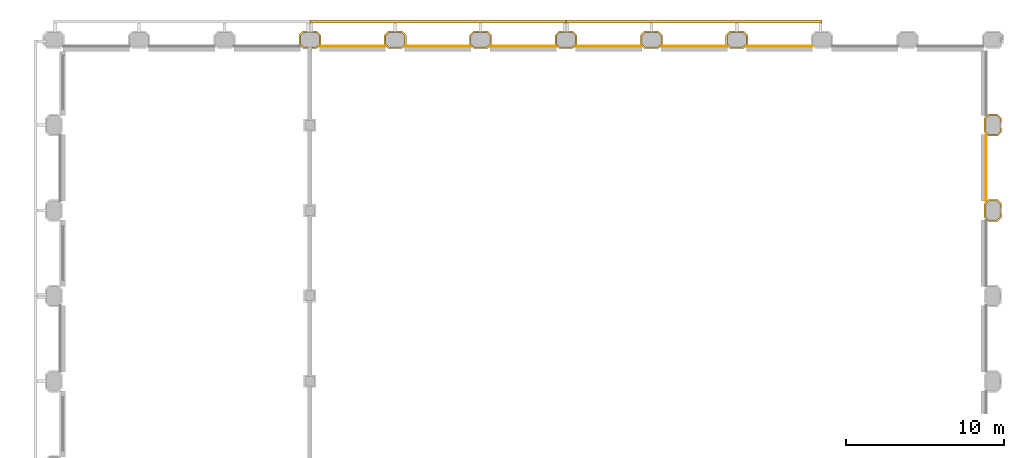
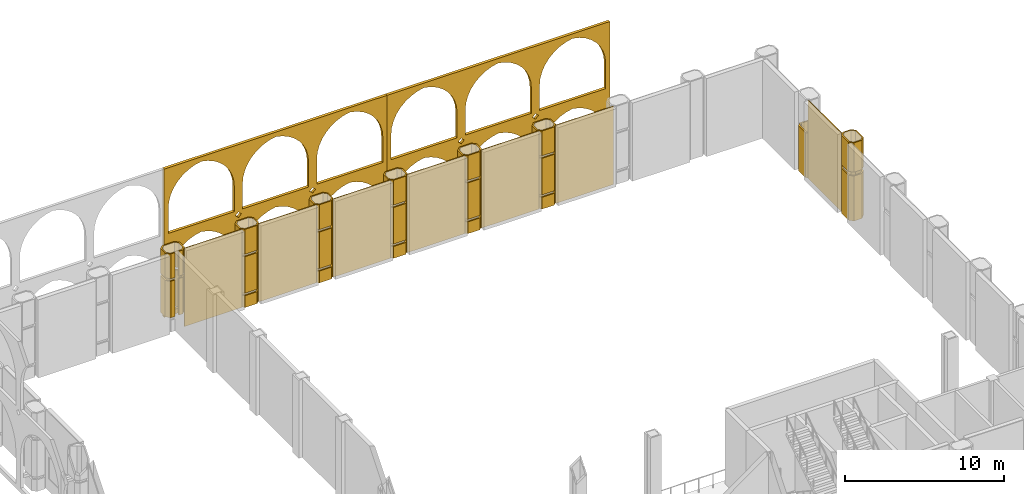
# One storey, part 33 of 34: 29 coverings.
"""IFC4 building model written with IfcOpenShell, lengths in metres."""

from ifc_helpers import new_model, si_unit, direction, frame, frame_2d, origin, place, context, subcontext, project, spatial, polyline, rectangle, outline, extrude, material, layer, layer_set, type_object, element, save


model = new_model("IFC4")

# Units and contexts
model_context = context("Model", 3, precision=1e-05, world=origin(), true_north=direction((0.0, 1.0)))
body_context = subcontext(model_context, "Body", "Model", "MODEL_VIEW")
ifc_project = project(units=[si_unit("LENGTHUNIT", "METRE"), si_unit("AREAUNIT", "SQUARE_METRE"), si_unit("VOLUMEUNIT", "CUBIC_METRE"), si_unit("PLANEANGLEUNIT", "RADIAN"), si_unit("MASSUNIT", "GRAM", prefix="KILO")], contexts=[model_context])

# Site, building, storey
site_placement = place(None, origin())
site = spatial("IfcSite", under=ifc_project, at=site_placement, CompositionType="ELEMENT")
building_placement = place(site_placement, origin())
building = spatial("IfcBuilding", under=site, at=building_placement, Name="Tabaq Tower and Sports Hall", CompositionType="ELEMENT")
storey_placement = place(building_placement, frame((0.0, 0.0, 8.39990234375)))
storey = spatial("IfcBuildingStorey", under=building, at=storey_placement, Name="L01", CompositionType="ELEMENT", Elevation=8.39990234375)

# Coverings
ifc_material_1 = material(Name="Precast concrete C60/75", Category="concrete")
ifc_layer_1 = layer(ifc_material_1, 0.10009765625)
ifc_layer_set_1 = layer_set([ifc_layer_1], Name="Column cladding 100")
covering_type_1 = type_object("IfcCoveringType", Name="Column cladding 100", PredefinedType="CLADDING", material=ifc_layer_set_1)
covering_1_placement = place(storey_placement, frame((0.0, 0.0, 1.10009765625)))
element("IfcCovering", 1, at=covering_1_placement, inside=storey, type_object=covering_type_1, Name="Column cladding L01 HC-16I 2", PredefinedType="CLADDING", context=body_context, shape_type="SweptSolid", body=[
    extrude(outline(polyline([(80.30029296875, 43.4912109375), (80.55859375, 43.749755859375), (81.44140625, 43.749755859375), (81.69970703125, 43.4912109375), (81.69970703125, 42.90869140625), (81.44140625, 42.650390625), (81.150390625, 42.650390625), (81.150390625, 42.749755859375), (81.400146484375, 42.749755859375), (81.600341796875, 42.949951171875), (81.600341796875, 43.4501953125), (81.400146484375, 43.650390625), (80.599853515625, 43.650390625), (80.399658203125, 43.4501953125), (80.399658203125, 42.949951171875), (80.599853515625, 42.749755859375), (80.849609375, 42.749755859375), (80.849609375, 42.650390625), (80.55859375, 42.650390625), (80.30029296875, 42.90869140625), (80.30029296875, 43.4912109375)])), origin(), (0.0, 0.0, 1.0), 2.800048828125),
])
covering_2_placement = place(storey_placement, frame((0.0, 0.0, 4.10009765625)))
element("IfcCovering", 2, at=covering_2_placement, inside=storey, type_object=covering_type_1, Name="Column cladding L01 HC-16I 3", PredefinedType="CLADDING", context=body_context, shape_type="SweptSolid", body=[
    extrude(outline(polyline([(80.30029296875, 43.4912109375), (80.55859375, 43.749755859375), (81.44140625, 43.749755859375), (81.69970703125, 43.4912109375), (81.69970703125, 42.90869140625), (81.44140625, 42.650390625), (81.150390625, 42.650390625), (81.150390625, 42.749755859375), (81.400146484375, 42.749755859375), (81.600341796875, 42.949951171875), (81.600341796875, 43.4501953125), (81.400146484375, 43.650390625), (80.599853515625, 43.650390625), (80.399658203125, 43.4501953125), (80.399658203125, 42.949951171875), (80.599853515625, 42.749755859375), (80.849609375, 42.749755859375), (80.849609375, 42.650390625), (80.55859375, 42.650390625), (80.30029296875, 42.90869140625), (80.30029296875, 43.4912109375)])), origin(), (0.0, 0.0, 1.0), 1.89990234375),
])
covering_3_placement = place(storey_placement, origin())
element("IfcCovering", 3, at=covering_3_placement, inside=storey, type_object=covering_type_1, Name="Column cladding L01 HC-17I", PredefinedType="CLADDING", context=body_context, shape_type="SweptSolid", body=[
    extrude(outline(polyline([(85.7001953125, 42.90869140625), (85.7001953125, 43.4912109375), (85.958740234375, 43.749755859375), (86.84130859375, 43.749755859375), (87.099609375, 43.4912109375), (87.099609375, 42.90869140625), (86.84130859375, 42.650390625), (85.958740234375, 42.650390625), (85.7001953125, 42.90869140625)]), holes=[polyline([(86.800048828125, 42.749755859375), (87.000244140625, 42.949951171875), (87.000244140625, 43.4501953125), (86.800048828125, 43.650390625), (85.999755859375, 43.650390625), (85.7998046875, 43.4501953125), (85.7998046875, 42.949951171875), (85.999755859375, 42.749755859375), (86.800048828125, 42.749755859375)])]), origin(), (0.0, 0.0, 1.0), 0.900146484375),
])
covering_4_placement = place(storey_placement, frame((0.0, 0.0, 1.10009765625)))
element("IfcCovering", 4, at=covering_4_placement, inside=storey, type_object=covering_type_1, Name="Column cladding L01 HC-17I 2", PredefinedType="CLADDING", context=body_context, shape_type="SweptSolid", body=[
    extrude(outline(polyline([(85.7001953125, 42.90869140625), (85.7001953125, 43.4912109375), (85.958740234375, 43.749755859375), (86.84130859375, 43.749755859375), (87.099609375, 43.4912109375), (87.099609375, 42.90869140625), (86.84130859375, 42.650390625), (85.958740234375, 42.650390625), (85.7001953125, 42.90869140625)]), holes=[polyline([(86.800048828125, 42.749755859375), (87.000244140625, 42.949951171875), (87.000244140625, 43.4501953125), (86.800048828125, 43.650390625), (85.999755859375, 43.650390625), (85.7998046875, 43.4501953125), (85.7998046875, 42.949951171875), (85.999755859375, 42.749755859375), (86.800048828125, 42.749755859375)])]), origin(), (0.0, 0.0, 1.0), 2.800048828125),
])
covering_5_placement = place(storey_placement, frame((0.0, 0.0, 4.10009765625)))
element("IfcCovering", 5, at=covering_5_placement, inside=storey, type_object=covering_type_1, Name="Column cladding L01 HC-17I 3", PredefinedType="CLADDING", context=body_context, shape_type="SweptSolid", body=[
    extrude(outline(polyline([(85.7001953125, 42.90869140625), (85.7001953125, 43.4912109375), (85.958740234375, 43.749755859375), (86.84130859375, 43.749755859375), (87.099609375, 43.4912109375), (87.099609375, 42.90869140625), (86.84130859375, 42.650390625), (85.958740234375, 42.650390625), (85.7001953125, 42.90869140625)]), holes=[polyline([(86.800048828125, 42.749755859375), (87.000244140625, 42.949951171875), (87.000244140625, 43.4501953125), (86.800048828125, 43.650390625), (85.999755859375, 43.650390625), (85.7998046875, 43.4501953125), (85.7998046875, 42.949951171875), (85.999755859375, 42.749755859375), (86.800048828125, 42.749755859375)])]), origin(), (0.0, 0.0, 1.0), 1.89990234375),
])
covering_6_placement = place(storey_placement, origin())
element("IfcCovering", 6, at=covering_6_placement, inside=storey, type_object=covering_type_1, Name="Column cladding L01 HC-18I", PredefinedType="CLADDING", context=body_context, shape_type="SweptSolid", body=[
    extrude(outline(polyline([(91.100341796875, 42.90869140625), (91.100341796875, 43.4912109375), (91.358642578125, 43.749755859375), (92.2412109375, 43.749755859375), (92.499755859375, 43.4912109375), (92.499755859375, 42.90869140625), (92.2412109375, 42.650390625), (91.358642578125, 42.650390625), (91.100341796875, 42.90869140625)]), holes=[polyline([(92.2001953125, 42.749755859375), (92.400390625, 42.949951171875), (92.400390625, 43.4501953125), (92.2001953125, 43.650390625), (91.39990234375, 43.650390625), (91.19970703125, 43.4501953125), (91.19970703125, 42.949951171875), (91.39990234375, 42.749755859375), (92.2001953125, 42.749755859375)])]), origin(), (0.0, 0.0, 1.0), 0.900146484375),
])
covering_7_placement = place(storey_placement, frame((0.0, 0.0, 1.10009765625)))
element("IfcCovering", 7, at=covering_7_placement, inside=storey, type_object=covering_type_1, Name="Column cladding L01 HC-18I 2", PredefinedType="CLADDING", context=body_context, shape_type="SweptSolid", body=[
    extrude(outline(polyline([(91.100341796875, 42.90869140625), (91.100341796875, 43.4912109375), (91.358642578125, 43.749755859375), (92.2412109375, 43.749755859375), (92.499755859375, 43.4912109375), (92.499755859375, 42.90869140625), (92.2412109375, 42.650390625), (91.358642578125, 42.650390625), (91.100341796875, 42.90869140625)]), holes=[polyline([(92.2001953125, 42.749755859375), (92.400390625, 42.949951171875), (92.400390625, 43.4501953125), (92.2001953125, 43.650390625), (91.39990234375, 43.650390625), (91.19970703125, 43.4501953125), (91.19970703125, 42.949951171875), (91.39990234375, 42.749755859375), (92.2001953125, 42.749755859375)])]), origin(), (0.0, 0.0, 1.0), 2.800048828125),
])
covering_8_placement = place(storey_placement, frame((0.0, 0.0, 4.10009765625)))
element("IfcCovering", 8, at=covering_8_placement, inside=storey, type_object=covering_type_1, Name="Column cladding L01 HC-18I 3", PredefinedType="CLADDING", context=body_context, shape_type="SweptSolid", body=[
    extrude(outline(polyline([(91.100341796875, 42.90869140625), (91.100341796875, 43.4912109375), (91.358642578125, 43.749755859375), (92.2412109375, 43.749755859375), (92.499755859375, 43.4912109375), (92.499755859375, 42.90869140625), (92.2412109375, 42.650390625), (91.358642578125, 42.650390625), (91.100341796875, 42.90869140625)]), holes=[polyline([(92.2001953125, 42.749755859375), (92.400390625, 42.949951171875), (92.400390625, 43.4501953125), (92.2001953125, 43.650390625), (91.39990234375, 43.650390625), (91.19970703125, 43.4501953125), (91.19970703125, 42.949951171875), (91.39990234375, 42.749755859375), (92.2001953125, 42.749755859375)])]), origin(), (0.0, 0.0, 1.0), 1.89990234375),
])
covering_9_placement = place(storey_placement, origin())
element("IfcCovering", 9, at=covering_9_placement, inside=storey, type_object=covering_type_1, Name="Column cladding L01 HC-19I", PredefinedType="CLADDING", context=body_context, shape_type="SweptSolid", body=[
    extrude(outline(polyline([(96.500244140625, 42.90869140625), (96.500244140625, 43.4912109375), (96.7587890625, 43.749755859375), (97.641357421875, 43.749755859375), (97.899658203125, 43.4912109375), (97.899658203125, 42.90869140625), (97.641357421875, 42.650390625), (96.7587890625, 42.650390625), (96.500244140625, 42.90869140625)]), holes=[polyline([(97.60009765625, 42.749755859375), (97.80029296875, 42.949951171875), (97.80029296875, 43.4501953125), (97.60009765625, 43.650390625), (96.7998046875, 43.650390625), (96.599609375, 43.4501953125), (96.599609375, 42.949951171875), (96.7998046875, 42.749755859375), (97.60009765625, 42.749755859375)])]), origin(), (0.0, 0.0, 1.0), 0.900146484375),
])
covering_10_placement = place(storey_placement, frame((0.0, 0.0, 1.10009765625)))
element("IfcCovering", 10, at=covering_10_placement, inside=storey, type_object=covering_type_1, Name="Column cladding L01 HC-19I 2", PredefinedType="CLADDING", context=body_context, shape_type="SweptSolid", body=[
    extrude(outline(polyline([(96.500244140625, 42.90869140625), (96.500244140625, 43.4912109375), (96.7587890625, 43.749755859375), (97.641357421875, 43.749755859375), (97.899658203125, 43.4912109375), (97.899658203125, 42.90869140625), (97.641357421875, 42.650390625), (96.7587890625, 42.650390625), (96.500244140625, 42.90869140625)]), holes=[polyline([(97.60009765625, 42.749755859375), (97.80029296875, 42.949951171875), (97.80029296875, 43.4501953125), (97.60009765625, 43.650390625), (96.7998046875, 43.650390625), (96.599609375, 43.4501953125), (96.599609375, 42.949951171875), (96.7998046875, 42.749755859375), (97.60009765625, 42.749755859375)])]), origin(), (0.0, 0.0, 1.0), 2.800048828125),
])
covering_11_placement = place(storey_placement, frame((0.0, 0.0, 4.10009765625)))
element("IfcCovering", 11, at=covering_11_placement, inside=storey, type_object=covering_type_1, Name="Column cladding L01 HC-19I 3", PredefinedType="CLADDING", context=body_context, shape_type="SweptSolid", body=[
    extrude(outline(polyline([(96.500244140625, 42.90869140625), (96.500244140625, 43.4912109375), (96.7587890625, 43.749755859375), (97.641357421875, 43.749755859375), (97.899658203125, 43.4912109375), (97.899658203125, 42.90869140625), (97.641357421875, 42.650390625), (96.7587890625, 42.650390625), (96.500244140625, 42.90869140625)]), holes=[polyline([(97.60009765625, 42.749755859375), (97.80029296875, 42.949951171875), (97.80029296875, 43.4501953125), (97.60009765625, 43.650390625), (96.7998046875, 43.650390625), (96.599609375, 43.4501953125), (96.599609375, 42.949951171875), (96.7998046875, 42.749755859375), (97.60009765625, 42.749755859375)])]), origin(), (0.0, 0.0, 1.0), 1.89990234375),
])
covering_12_placement = place(storey_placement, origin())
element("IfcCovering", 12, at=covering_12_placement, inside=storey, type_object=covering_type_1, Name="Column cladding L01 HC-20I", PredefinedType="CLADDING", context=body_context, shape_type="SweptSolid", body=[
    extrude(outline(polyline([(101.900390625, 42.90869140625), (101.900390625, 43.4912109375), (102.15869140625, 43.749755859375), (103.041259765625, 43.749755859375), (103.2998046875, 43.4912109375), (103.2998046875, 42.90869140625), (103.041259765625, 42.650390625), (102.15869140625, 42.650390625), (101.900390625, 42.90869140625)]), holes=[polyline([(103.000244140625, 42.749755859375), (103.2001953125, 42.949951171875), (103.2001953125, 43.4501953125), (103.000244140625, 43.650390625), (102.199951171875, 43.650390625), (101.999755859375, 43.4501953125), (101.999755859375, 42.949951171875), (102.199951171875, 42.749755859375), (103.000244140625, 42.749755859375)])]), origin(), (0.0, 0.0, 1.0), 0.900146484375),
])
covering_13_placement = place(storey_placement, frame((0.0, 0.0, 1.10009765625)))
element("IfcCovering", 13, at=covering_13_placement, inside=storey, type_object=covering_type_1, Name="Column cladding L01 HC-20I 2", PredefinedType="CLADDING", context=body_context, shape_type="SweptSolid", body=[
    extrude(outline(polyline([(101.900390625, 42.90869140625), (101.900390625, 43.4912109375), (102.15869140625, 43.749755859375), (103.041259765625, 43.749755859375), (103.2998046875, 43.4912109375), (103.2998046875, 42.90869140625), (103.041259765625, 42.650390625), (102.15869140625, 42.650390625), (101.900390625, 42.90869140625)]), holes=[polyline([(103.000244140625, 42.749755859375), (103.2001953125, 42.949951171875), (103.2001953125, 43.4501953125), (103.000244140625, 43.650390625), (102.199951171875, 43.650390625), (101.999755859375, 43.4501953125), (101.999755859375, 42.949951171875), (102.199951171875, 42.749755859375), (103.000244140625, 42.749755859375)])]), origin(), (0.0, 0.0, 1.0), 2.800048828125),
])
covering_14_placement = place(storey_placement, frame((0.0, 0.0, 4.10009765625)))
element("IfcCovering", 14, at=covering_14_placement, inside=storey, type_object=covering_type_1, Name="Column cladding L01 HC-20I 3", PredefinedType="CLADDING", context=body_context, shape_type="SweptSolid", body=[
    extrude(outline(polyline([(101.900390625, 42.90869140625), (101.900390625, 43.4912109375), (102.15869140625, 43.749755859375), (103.041259765625, 43.749755859375), (103.2998046875, 43.4912109375), (103.2998046875, 42.90869140625), (103.041259765625, 42.650390625), (102.15869140625, 42.650390625), (101.900390625, 42.90869140625)]), holes=[polyline([(103.000244140625, 42.749755859375), (103.2001953125, 42.949951171875), (103.2001953125, 43.4501953125), (103.000244140625, 43.650390625), (102.199951171875, 43.650390625), (101.999755859375, 43.4501953125), (101.999755859375, 42.949951171875), (102.199951171875, 42.749755859375), (103.000244140625, 42.749755859375)])]), origin(), (0.0, 0.0, 1.0), 1.89990234375),
])
covering_15_placement = place(storey_placement, origin())
element("IfcCovering", 15, at=covering_15_placement, inside=storey, type_object=covering_type_1, Name="Column cladding L01 HC-21I", PredefinedType="CLADDING", context=body_context, shape_type="SweptSolid", body=[
    extrude(outline(polyline([(107.30029296875, 42.90869140625), (107.30029296875, 43.4912109375), (107.55859375, 43.749755859375), (108.44140625, 43.749755859375), (108.69970703125, 43.4912109375), (108.69970703125, 42.90869140625), (108.44140625, 42.650390625), (107.55859375, 42.650390625), (107.30029296875, 42.90869140625)]), holes=[polyline([(108.400146484375, 42.749755859375), (108.600341796875, 42.949951171875), (108.600341796875, 43.4501953125), (108.400146484375, 43.650390625), (107.599853515625, 43.650390625), (107.399658203125, 43.4501953125), (107.399658203125, 42.949951171875), (107.599853515625, 42.749755859375), (108.400146484375, 42.749755859375)])]), origin(), (0.0, 0.0, 1.0), 0.900146484375),
])
covering_16_placement = place(storey_placement, frame((0.0, 0.0, 1.10009765625)))
element("IfcCovering", 16, at=covering_16_placement, inside=storey, type_object=covering_type_1, Name="Column cladding L01 HC-21I 2", PredefinedType="CLADDING", context=body_context, shape_type="SweptSolid", body=[
    extrude(outline(polyline([(107.30029296875, 42.90869140625), (107.30029296875, 43.4912109375), (107.55859375, 43.749755859375), (108.44140625, 43.749755859375), (108.69970703125, 43.4912109375), (108.69970703125, 42.90869140625), (108.44140625, 42.650390625), (107.55859375, 42.650390625), (107.30029296875, 42.90869140625)]), holes=[polyline([(108.400146484375, 42.749755859375), (108.600341796875, 42.949951171875), (108.600341796875, 43.4501953125), (108.400146484375, 43.650390625), (107.599853515625, 43.650390625), (107.399658203125, 43.4501953125), (107.399658203125, 42.949951171875), (107.599853515625, 42.749755859375), (108.400146484375, 42.749755859375)])]), origin(), (0.0, 0.0, 1.0), 2.800048828125),
])
covering_17_placement = place(storey_placement, frame((0.0, 0.0, 4.10009765625)))
element("IfcCovering", 17, at=covering_17_placement, inside=storey, type_object=covering_type_1, Name="Column cladding L01 HC-21I 3", PredefinedType="CLADDING", context=body_context, shape_type="SweptSolid", body=[
    extrude(outline(polyline([(107.30029296875, 42.90869140625), (107.30029296875, 43.4912109375), (107.55859375, 43.749755859375), (108.44140625, 43.749755859375), (108.69970703125, 43.4912109375), (108.69970703125, 42.90869140625), (108.44140625, 42.650390625), (107.55859375, 42.650390625), (107.30029296875, 42.90869140625)]), holes=[polyline([(108.400146484375, 42.749755859375), (108.600341796875, 42.949951171875), (108.600341796875, 43.4501953125), (108.400146484375, 43.650390625), (107.599853515625, 43.650390625), (107.399658203125, 43.4501953125), (107.399658203125, 42.949951171875), (107.599853515625, 42.749755859375), (108.400146484375, 42.749755859375)])]), origin(), (0.0, 0.0, 1.0), 1.89990234375),
])
covering_18_placement = place(storey_placement, origin())
element("IfcCovering", 18, at=covering_18_placement, inside=storey, type_object=covering_type_1, Name="Column cladding L01 HC-24G", PredefinedType="CLADDING", context=body_context, shape_type="SweptSolid", body=[
    extrude(outline(polyline([(123.90869140625, 31.7001953125), (123.650390625, 31.958740234375), (123.650390625, 32.84130859375), (123.90869140625, 33.099609375), (124.4912109375, 33.099609375), (124.73974609375, 32.851318359375), (124.73974609375, 32.419677734375), (124.749755859375, 32.419677734375), (124.749755859375, 32.38037109375), (124.73974609375, 32.38037109375), (124.73974609375, 31.94873046875), (124.4912109375, 31.7001953125), (123.90869140625, 31.7001953125)]), holes=[polyline([(124.4501953125, 33.000244140625), (123.949951171875, 33.000244140625), (123.749755859375, 32.800048828125), (123.749755859375, 31.999755859375), (123.949951171875, 31.7998046875), (124.4501953125, 31.7998046875), (124.650390625, 31.999755859375), (124.650390625, 32.800048828125), (124.4501953125, 33.000244140625)])]), origin(), (0.0, 0.0, 1.0), 3.4501953125),
])
covering_19_placement = place(storey_placement, frame((0.0, 0.0, 3.75)))
element("IfcCovering", 19, at=covering_19_placement, inside=storey, type_object=covering_type_1, Name="Column cladding L01 HC-24G 2", PredefinedType="CLADDING", context=body_context, shape_type="SweptSolid", body=[
    extrude(outline(polyline([(123.90869140625, 31.7001953125), (123.650390625, 31.958740234375), (123.650390625, 32.84130859375), (123.90869140625, 33.099609375), (124.4912109375, 33.099609375), (124.73974609375, 32.851318359375), (124.73974609375, 32.419677734375), (124.749755859375, 32.419677734375), (124.749755859375, 32.38037109375), (124.73974609375, 32.38037109375), (124.73974609375, 31.94873046875), (124.4912109375, 31.7001953125), (123.90869140625, 31.7001953125)]), holes=[polyline([(124.4501953125, 33.000244140625), (123.949951171875, 33.000244140625), (123.749755859375, 32.800048828125), (123.749755859375, 31.999755859375), (123.949951171875, 31.7998046875), (124.4501953125, 31.7998046875), (124.650390625, 31.999755859375), (124.650390625, 32.800048828125), (124.4501953125, 33.000244140625)])]), origin(), (0.0, 0.0, 1.0), 2.25),
])
covering_20_placement = place(storey_placement, origin())
element("IfcCovering", 20, at=covering_20_placement, inside=storey, type_object=covering_type_1, Name="Column cladding L01 HC-24H", PredefinedType="CLADDING", context=body_context, shape_type="SweptSolid", body=[
    extrude(outline(polyline([(123.90869140625, 37.100341796875), (123.650390625, 37.358642578125), (123.650390625, 38.2412109375), (123.90869140625, 38.499755859375), (124.4912109375, 38.499755859375), (124.73974609375, 38.251220703125), (124.73974609375, 37.3486328125), (124.4912109375, 37.100341796875), (123.90869140625, 37.100341796875)]), holes=[polyline([(124.4501953125, 38.400390625), (123.949951171875, 38.400390625), (123.749755859375, 38.2001953125), (123.749755859375, 37.39990234375), (123.949951171875, 37.19970703125), (124.4501953125, 37.19970703125), (124.650390625, 37.39990234375), (124.650390625, 38.2001953125), (124.4501953125, 38.400390625)])]), origin(), (0.0, 0.0, 1.0), 3.4501953125),
])
ifc_material_2 = material(Name="White precast concrete C60/75 pierced screen", Category="concrete")
ifc_layer_2 = layer(ifc_material_2, 0.199951171875)
ifc_layer_set_2 = layer_set([ifc_layer_2], Name="TRACERY SCREEN 200 C60/75")
covering_type_2 = type_object("IfcCoveringType", Name="TRACERY SCREEN 200 C60/75", PredefinedType="CLADDING", material=ifc_layer_set_2)
covering_21_placement = place(storey_placement, frame((81.0, 44.35009765625, 0.0), z_axis=(0.0, 0.0, 1.0), x_axis=(1.0, 0.0, 0.0)))
element("IfcCovering", 21, at=covering_21_placement, inside=storey, type_object=covering_type_2, Name="Tracery screen hall N 2", PredefinedType="CLADDING", context=body_context, shape_type="SweptSolid", body=[
    extrude(outline(polyline([(0.0, 0.0), (16.199951171875, 0.0), (16.199951171875, 11.400146484375), (0.0, 11.400146484375), (0.0, 0.0)]), holes=[polyline([(0.300048828125, 0.35009765625), (5.10009765625, 0.35009765625), (5.10009765625, 2.89013671875), (5.055419921875, 3.38623046875), (4.92333984375, 3.8662109375), (4.7080078125, 4.3154296875), (4.416015625, 4.71875), (4.05712890625, 5.06396484375), (3.642333984375, 5.339599609375), (3.18505859375, 5.537109375), (2.699951171875, 5.650146484375), (2.21484375, 5.537109375), (1.7578125, 5.339599609375), (1.343017578125, 5.06396484375), (0.98388671875, 4.71875), (0.69189453125, 4.3154296875), (0.4765625, 3.8662109375), (0.344482421875, 3.38623046875), (0.300048828125, 2.89013671875), (0.300048828125, 0.35009765625)]), polyline([(5.699951171875, 0.35009765625), (10.5, 0.35009765625), (10.5, 2.89013671875), (10.45556640625, 3.38623046875), (10.323486328125, 3.8662109375), (10.10791015625, 4.3154296875), (9.816162109375, 4.71875), (9.45703125, 5.06396484375), (9.042236328125, 5.339599609375), (8.5849609375, 5.537109375), (8.10009765625, 5.650146484375), (7.614990234375, 5.537109375), (7.15771484375, 5.339599609375), (6.742919921875, 5.06396484375), (6.384033203125, 4.71875), (6.092041015625, 4.3154296875), (5.87646484375, 3.8662109375), (5.744384765625, 3.38623046875), (5.699951171875, 2.89013671875), (5.699951171875, 0.35009765625)]), polyline([(11.10009765625, 0.35009765625), (15.89990234375, 0.35009765625), (15.89990234375, 2.89013671875), (15.85546875, 3.38623046875), (15.723388671875, 3.8662109375), (15.508056640625, 4.3154296875), (15.216064453125, 4.71875), (14.85693359375, 5.06396484375), (14.442138671875, 5.339599609375), (13.985107421875, 5.537109375), (13.5, 5.650146484375), (13.014892578125, 5.537109375), (12.557861328125, 5.339599609375), (12.14306640625, 5.06396484375), (11.783935546875, 4.71875), (11.491943359375, 4.3154296875), (11.276611328125, 3.8662109375), (11.14453125, 3.38623046875), (11.10009765625, 2.89013671875), (11.10009765625, 0.35009765625)]), polyline([(0.300048828125, 6.35009765625), (5.10009765625, 6.35009765625), (5.10009765625, 8.2900390625), (5.055419921875, 8.7861328125), (4.92333984375, 9.266357421875), (4.7080078125, 9.71533203125), (4.416015625, 10.118896484375), (4.05712890625, 10.4638671875), (3.642333984375, 10.73974609375), (3.18505859375, 10.937255859375), (2.699951171875, 11.050048828125), (2.21484375, 10.937255859375), (1.7578125, 10.73974609375), (1.343017578125, 10.4638671875), (0.98388671875, 10.118896484375), (0.69189453125, 9.71533203125), (0.4765625, 9.266357421875), (0.344482421875, 8.7861328125), (0.300048828125, 8.2900390625), (0.300048828125, 6.35009765625)]), polyline([(5.699951171875, 6.35009765625), (10.5, 6.35009765625), (10.5, 8.2900390625), (10.45556640625, 8.7861328125), (10.323486328125, 9.266357421875), (10.10791015625, 9.71533203125), (9.816162109375, 10.118896484375), (9.45703125, 10.4638671875), (9.042236328125, 10.73974609375), (8.5849609375, 10.937255859375), (8.10009765625, 11.050048828125), (7.614990234375, 10.937255859375), (7.15771484375, 10.73974609375), (6.742919921875, 10.4638671875), (6.384033203125, 10.118896484375), (6.092041015625, 9.71533203125), (5.87646484375, 9.266357421875), (5.744384765625, 8.7861328125), (5.699951171875, 8.2900390625), (5.699951171875, 6.35009765625)]), polyline([(11.10009765625, 6.35009765625), (15.89990234375, 6.35009765625), (15.89990234375, 8.2900390625), (15.85546875, 8.7861328125), (15.723388671875, 9.266357421875), (15.508056640625, 9.71533203125), (15.216064453125, 10.118896484375), (14.85693359375, 10.4638671875), (14.442138671875, 10.73974609375), (13.985107421875, 10.937255859375), (13.5, 11.050048828125), (13.014892578125, 10.937255859375), (12.557861328125, 10.73974609375), (12.14306640625, 10.4638671875), (11.783935546875, 10.118896484375), (11.491943359375, 9.71533203125), (11.276611328125, 9.266357421875), (11.14453125, 8.7861328125), (11.10009765625, 8.2900390625), (11.10009765625, 6.35009765625)]), polyline([(5.6201171875, 6.0), (5.39990234375, 6.22021484375), (5.179931640625, 6.0), (5.39990234375, 5.780029296875), (5.6201171875, 6.0)]), polyline([(11.02001953125, 6.0), (10.800048828125, 6.22021484375), (10.580078125, 6.0), (10.800048828125, 5.780029296875), (11.02001953125, 6.0)])]), frame((0.0, 0.10009765625, 0.0), z_axis=(0.0, -1.0, 0.0), x_axis=(1.0, 0.0, 0.0)), (0.0, 0.0, 1.0), 0.199951171875),
])
covering_22_placement = place(storey_placement, frame((97.199951171875, 44.35009765625, 0.0), z_axis=(0.0, 0.0, 1.0), x_axis=(1.0, 0.0, 0.0)))
element("IfcCovering", 22, at=covering_22_placement, inside=storey, type_object=covering_type_2, Name="Tracery screen hall N 3", PredefinedType="CLADDING", context=body_context, shape_type="SweptSolid", body=[
    extrude(outline(polyline([(0.0, 0.0), (16.199951171875, 0.0), (16.199951171875, 11.400146484375), (0.0, 11.400146484375), (0.0, 0.0)]), holes=[polyline([(0.300048828125, 0.35009765625), (5.10009765625, 0.35009765625), (5.10009765625, 2.89013671875), (5.055419921875, 3.38623046875), (4.92333984375, 3.8662109375), (4.7080078125, 4.3154296875), (4.416015625, 4.71875), (4.05712890625, 5.06396484375), (3.642333984375, 5.339599609375), (3.18505859375, 5.537109375), (2.699951171875, 5.650146484375), (2.21484375, 5.537109375), (1.7578125, 5.339599609375), (1.343017578125, 5.06396484375), (0.98388671875, 4.71875), (0.69189453125, 4.3154296875), (0.4765625, 3.8662109375), (0.344482421875, 3.38623046875), (0.300048828125, 2.89013671875), (0.300048828125, 0.35009765625)]), polyline([(5.699951171875, 0.35009765625), (10.5, 0.35009765625), (10.5, 2.89013671875), (10.45556640625, 3.38623046875), (10.323486328125, 3.8662109375), (10.10791015625, 4.3154296875), (9.816162109375, 4.71875), (9.45703125, 5.06396484375), (9.042236328125, 5.339599609375), (8.5849609375, 5.537109375), (8.10009765625, 5.650146484375), (7.614990234375, 5.537109375), (7.15771484375, 5.339599609375), (6.742919921875, 5.06396484375), (6.384033203125, 4.71875), (6.092041015625, 4.3154296875), (5.87646484375, 3.8662109375), (5.744384765625, 3.38623046875), (5.699951171875, 2.89013671875), (5.699951171875, 0.35009765625)]), polyline([(11.10009765625, 0.35009765625), (15.89990234375, 0.35009765625), (15.89990234375, 2.89013671875), (15.85546875, 3.38623046875), (15.723388671875, 3.8662109375), (15.508056640625, 4.3154296875), (15.216064453125, 4.71875), (14.85693359375, 5.06396484375), (14.442138671875, 5.339599609375), (13.985107421875, 5.537109375), (13.5, 5.650146484375), (13.014892578125, 5.537109375), (12.557861328125, 5.339599609375), (12.14306640625, 5.06396484375), (11.783935546875, 4.71875), (11.491943359375, 4.3154296875), (11.276611328125, 3.8662109375), (11.14453125, 3.38623046875), (11.10009765625, 2.89013671875), (11.10009765625, 0.35009765625)]), polyline([(0.300048828125, 6.35009765625), (5.10009765625, 6.35009765625), (5.10009765625, 8.2900390625), (5.055419921875, 8.7861328125), (4.92333984375, 9.266357421875), (4.7080078125, 9.71533203125), (4.416015625, 10.118896484375), (4.05712890625, 10.4638671875), (3.642333984375, 10.73974609375), (3.18505859375, 10.937255859375), (2.699951171875, 11.050048828125), (2.21484375, 10.937255859375), (1.7578125, 10.73974609375), (1.343017578125, 10.4638671875), (0.98388671875, 10.118896484375), (0.69189453125, 9.71533203125), (0.4765625, 9.266357421875), (0.344482421875, 8.7861328125), (0.300048828125, 8.2900390625), (0.300048828125, 6.35009765625)]), polyline([(5.699951171875, 6.35009765625), (10.5, 6.35009765625), (10.5, 8.2900390625), (10.45556640625, 8.7861328125), (10.323486328125, 9.266357421875), (10.10791015625, 9.71533203125), (9.816162109375, 10.118896484375), (9.45703125, 10.4638671875), (9.042236328125, 10.73974609375), (8.5849609375, 10.937255859375), (8.10009765625, 11.050048828125), (7.614990234375, 10.937255859375), (7.15771484375, 10.73974609375), (6.742919921875, 10.4638671875), (6.384033203125, 10.118896484375), (6.092041015625, 9.71533203125), (5.87646484375, 9.266357421875), (5.744384765625, 8.7861328125), (5.699951171875, 8.2900390625), (5.699951171875, 6.35009765625)]), polyline([(11.10009765625, 6.35009765625), (15.89990234375, 6.35009765625), (15.89990234375, 8.2900390625), (15.85546875, 8.7861328125), (15.723388671875, 9.266357421875), (15.508056640625, 9.71533203125), (15.216064453125, 10.118896484375), (14.85693359375, 10.4638671875), (14.442138671875, 10.73974609375), (13.985107421875, 10.937255859375), (13.5, 11.050048828125), (13.014892578125, 10.937255859375), (12.557861328125, 10.73974609375), (12.14306640625, 10.4638671875), (11.783935546875, 10.118896484375), (11.491943359375, 9.71533203125), (11.276611328125, 9.266357421875), (11.14453125, 8.7861328125), (11.10009765625, 8.2900390625), (11.10009765625, 6.35009765625)]), polyline([(5.6201171875, 6.0), (5.39990234375, 6.22021484375), (5.179931640625, 6.0), (5.39990234375, 5.780029296875), (5.6201171875, 6.0)]), polyline([(11.02001953125, 6.0), (10.800048828125, 6.22021484375), (10.580078125, 6.0), (10.800048828125, 5.780029296875), (11.02001953125, 6.0)])]), frame((0.0, 0.10009765625, 0.0), z_axis=(0.0, -1.0, 0.0), x_axis=(1.0, 0.0, 0.0)), (0.0, 0.0, 1.0), 0.199951171875),
])
ifc_material_3 = material(Name="Precast concrete C60/75", Category="concrete")
ifc_layer_3 = layer(ifc_material_3, 0.06005859375)
ifc_layer_set_3 = layer_set([ifc_layer_3], Name="White precast cladding panel 60 C60/75")
covering_type_3 = type_object("IfcCoveringType", Name="White precast cladding panel 60 C60/75", PredefinedType="CLADDING", material=ifc_layer_set_3)
for number, where, z_axis, x_axis, name in (
    (23, (123.780029296875, 33.0, 0.0), (0.0, 0.0, 1.0), (0.0, 1.0, 0.0), "White precast cladding panel L01 L01"),
    (24, (81.60009765625, 42.780029296875, 0.0), (0.0, 0.0, 1.0), (1.0, 0.0, 0.0), "White precast cladding panel L01 L01"),
    (25, (87.0, 42.780029296875, 0.0), (0.0, 0.0, 1.0), (1.0, 0.0, 0.0), "White precast cladding panel L01 L01"),
):
    element("IfcCovering", number, at=place(storey_placement, frame(where, z_axis=z_axis, x_axis=x_axis)), inside=storey, type_object=covering_type_3, Name=name, PredefinedType="CLADDING", context=body_context, shape_type="SweptSolid", body=[
        extrude(rectangle(XDim=4.199951171875, YDim=0.06005859375, at=frame_2d((2.10009765625, 0.0))), origin(), (0.0, 0.0, 1.0), 6.0),
    ])
covering_23_placement = place(storey_placement, frame((92.39990234375, 42.780029296875, 0.0), z_axis=(0.0, 0.0, 1.0), x_axis=(1.0, 0.0, 0.0)))
element("IfcCovering", 26, at=covering_23_placement, inside=storey, type_object=covering_type_3, Name="White precast cladding panel L01 L01", PredefinedType="CLADDING", context=body_context, shape_type="SweptSolid", body=[
    extrude(rectangle(XDim=4.2001953125, YDim=0.06005859375, at=frame_2d((2.10009765625, 0.0))), origin(), (0.0, 0.0, 1.0), 6.0),
])
for number, where, z_axis, x_axis, name in (
    (27, (97.800048828125, 42.780029296875, 0.0), (0.0, 0.0, 1.0), (1.0, 0.0, 0.0), "White precast cladding panel L01 L01"),
    (28, (103.199951171875, 42.780029296875, 0.0), (0.0, 0.0, 1.0), (1.0, 0.0, 0.0), "White precast cladding panel L01 L01"),
    (29, (108.60009765625, 42.780029296875, 0.0), (0.0, 0.0, 1.0), (1.0, 0.0, 0.0), "White precast cladding panel L01 L01"),
):
    element("IfcCovering", number, at=place(storey_placement, frame(where, z_axis=z_axis, x_axis=x_axis)), inside=storey, type_object=covering_type_3, Name=name, PredefinedType="CLADDING", context=body_context, shape_type="SweptSolid", body=[
        extrude(rectangle(XDim=4.199951171875, YDim=0.06005859375, at=frame_2d((2.10009765625, 0.0))), origin(), (0.0, 0.0, 1.0), 6.0),
    ])

save(model, "model.ifc")
